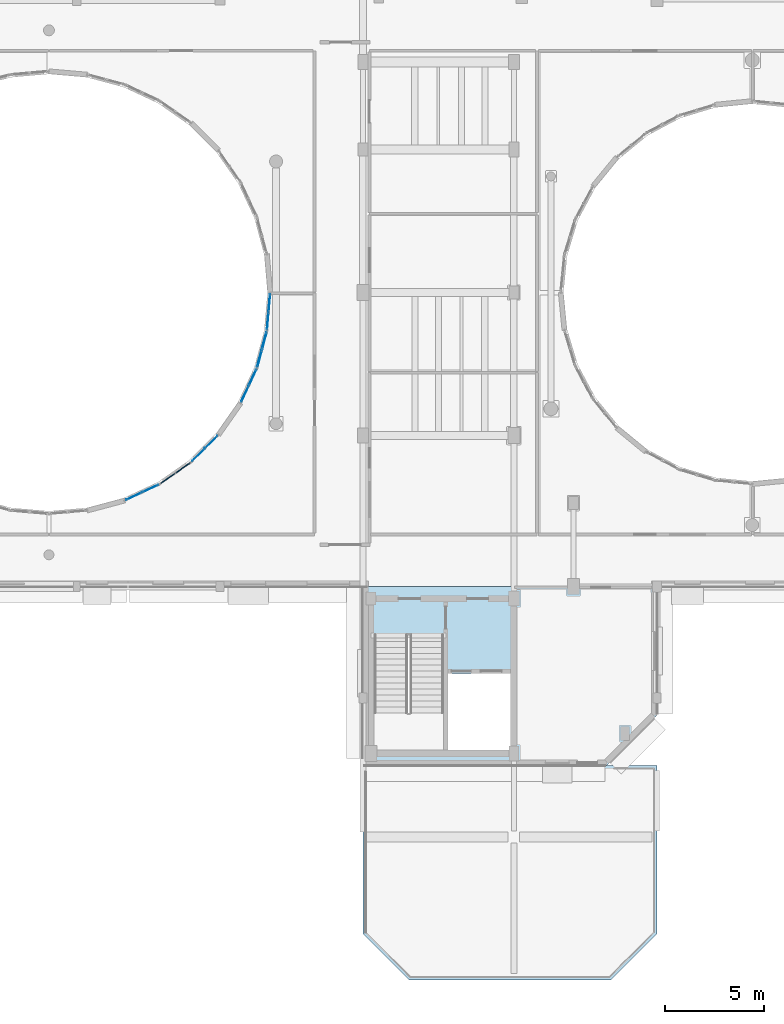
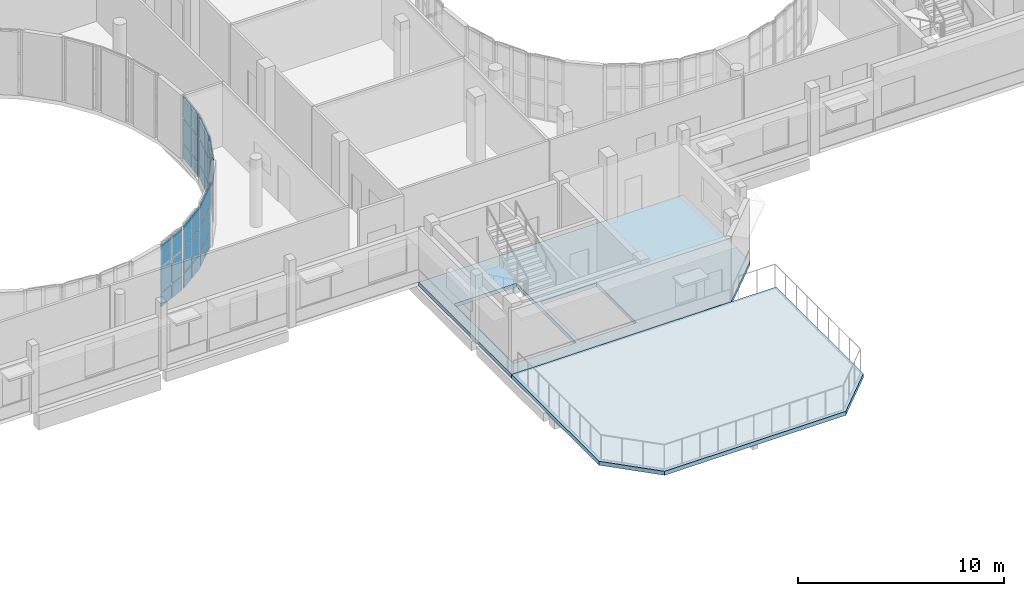
# One storey, part 57 of 89: 36 plates, 2 slabs, 6 elements without a shape of their own.
"""IFC4 building model written with IfcOpenShell, lengths in metres."""

from ifc_helpers import new_model, si_unit, direction, frame, origin, origin_2d, place, context, subcontext, project, spatial, polyline, rectangle, outline, extrude, material, layer, layer_set, type_object, element, aggregate, save


model = new_model("IFC4")

# Units and contexts
model_context = context("Model", 3, precision=1e-05, world=origin(), true_north=direction((0.0, 1.0)))
body_context = subcontext(model_context, "Body", "Model", "MODEL_VIEW")
ifc_project = project(units=[si_unit("LENGTHUNIT", "METRE"), si_unit("AREAUNIT", "SQUARE_METRE"), si_unit("VOLUMEUNIT", "CUBIC_METRE"), si_unit("PLANEANGLEUNIT", "RADIAN"), si_unit("MASSUNIT", "GRAM", prefix="KILO")], contexts=[model_context])

# Site, building, storey
site_placement = place(None, origin())
site = spatial("IfcSite", under=ifc_project, at=site_placement, CompositionType="ELEMENT")
building_placement = place(site_placement, origin())
building = spatial("IfcBuilding", under=site, at=building_placement, Name="Kelanivale Promenade Academy", CompositionType="ELEMENT")
storey_placement = place(building_placement, frame((0.0, 0.0, 12.199951171875)))
storey = spatial("IfcBuildingStorey", under=building, at=storey_placement, Name="L03", CompositionType="ELEMENT", Elevation=12.199951171875)

# Curtain wall, plates
ifc_material_1 = material(Name="Bronze anodised aluminium and solar-control low-E glass", Category="aluminium")
ifc_layer_1 = layer(ifc_material_1, 0.169921875)
ifc_layer_set_1 = layer_set([ifc_layer_1], Name="Bronze anodised aluminium and solar-control low-E glass")
curtain_wall_type_1 = type_object("IfcCurtainWallType", Name="CW-10 Curtain Wall 1800mm Module", PredefinedType="USERDEFINED", material=ifc_layer_set_1)
curtain_wall_1_placement = place(storey_placement, origin())
curtain_wall_1 = element("IfcCurtainWall", 1, at=curtain_wall_1_placement, inside=storey, type_object=curtain_wall_type_1, Name="L03 courtyard curtain wall CW-10", ObjectType="UNITISED GLAZING", PredefinedType="USERDEFINED")
ifc_material_2 = material(Name="Solar-control double glazing 28 mm", Category="glass")
ifc_layer_2 = layer(ifc_material_2, 0.028076171875)
ifc_layer_set_2 = layer_set([ifc_layer_2], Name="Solar-control double glazing 28 mm")
plate_type_1 = type_object("IfcPlateType", Name="CWP-01 Plate 28mm", PredefinedType="CURTAIN_PANEL", material=ifc_layer_set_2)
plate_1_placement = place(storey_placement, frame((70.91650390625, 48.62158203125, 0.05029296875), z_axis=(0.0, 0.0, 1.0), x_axis=(0.707106781187, 0.707106781187, 0.0)))
plate_1 = element("IfcPlate", 2, at=plate_1_placement, type_object=plate_type_1, Name="CW-10 panel 1.1", PredefinedType="CURTAIN_PANEL", context=body_context, shape_type="SweptSolid", body=[
    extrude(rectangle(XDim=0.8603515625, YDim=0.028076171875, at=origin_2d()), origin(), (0.0, 0.0, 1.0), 0.824951171875),
])
plate_2_placement = place(storey_placement, frame((70.91650390625, 48.62158203125, 0.92529296875), z_axis=(0.0, 0.0, 1.0), x_axis=(0.707106781187, 0.707106781187, 0.0)))
plate_2 = element("IfcPlate", 3, at=plate_2_placement, type_object=plate_type_1, Name="CW-10 panel 1.2", PredefinedType="CURTAIN_PANEL", context=body_context, shape_type="SweptSolid", body=[
    extrude(rectangle(XDim=0.8603515625, YDim=0.028076171875, at=origin_2d()), origin(), (0.0, 0.0, 1.0), 1.449951171875),
])
plate_3_placement = place(storey_placement, frame((70.91650390625, 48.62158203125, 2.42529296875), z_axis=(0.0, 0.0, 1.0), x_axis=(0.707106781187, 0.707106781187, 0.0)))
plate_3 = element("IfcPlate", 4, at=plate_3_placement, type_object=plate_type_1, Name="CW-10 panel 1.3", PredefinedType="CURTAIN_PANEL", context=body_context, shape_type="SweptSolid", body=[
    extrude(rectangle(XDim=0.8603515625, YDim=0.028076171875, at=origin_2d()), origin(), (0.0, 0.0, 1.0), 1.304931640625),
])
plate_4_placement = place(storey_placement, frame((71.5673828125, 49.2724609375, 0.05029296875), z_axis=(0.0, 0.0, 1.0), x_axis=(0.707106781187, 0.707106781187, 0.0)))
plate_4 = element("IfcPlate", 5, at=plate_4_placement, type_object=plate_type_1, Name="CW-10 panel 2.1", PredefinedType="CURTAIN_PANEL", context=body_context, shape_type="SweptSolid", body=[
    extrude(rectangle(XDim=0.8603515625, YDim=0.028076171875, at=origin_2d()), origin(), (0.0, 0.0, 1.0), 0.824951171875),
])
plate_5_placement = place(storey_placement, frame((71.5673828125, 49.2724609375, 0.92529296875), z_axis=(0.0, 0.0, 1.0), x_axis=(0.707106781187, 0.707106781187, 0.0)))
plate_5 = element("IfcPlate", 6, at=plate_5_placement, type_object=plate_type_1, Name="CW-10 panel 2.2", PredefinedType="CURTAIN_PANEL", context=body_context, shape_type="SweptSolid", body=[
    extrude(rectangle(XDim=0.8603515625, YDim=0.028076171875, at=origin_2d()), origin(), (0.0, 0.0, 1.0), 1.449951171875),
])
plate_6_placement = place(storey_placement, frame((71.5673828125, 49.2724609375, 2.42529296875), z_axis=(0.0, 0.0, 1.0), x_axis=(0.707106781187, 0.707106781187, 0.0)))
plate_6 = element("IfcPlate", 7, at=plate_6_placement, type_object=plate_type_1, Name="CW-10 panel 2.3", PredefinedType="CURTAIN_PANEL", context=body_context, shape_type="SweptSolid", body=[
    extrude(rectangle(XDim=0.8603515625, YDim=0.028076171875, at=origin_2d()), origin(), (0.0, 0.0, 1.0), 1.304931640625),
])
aggregate(curtain_wall_1, [plate_1, plate_2, plate_3, plate_4, plate_5, plate_6])

ifc_layer_3 = layer(ifc_material_1, 0.169921875)
ifc_layer_set_3 = layer_set([ifc_layer_3], Name="Bronze anodised aluminium and solar-control low-E glass")
curtain_wall_type_2 = type_object("IfcCurtainWallType", Name="CW-13 Curtain Wall 1350mm Module", PredefinedType="USERDEFINED", material=ifc_layer_set_3)
curtain_wall_2_placement = place(storey_placement, origin())
curtain_wall_2 = element("IfcCurtainWall", 8, at=curtain_wall_2_placement, inside=storey, type_object=curtain_wall_type_2, Name="L03 courtyard curtain wall CW-13", ObjectType="COURTYARD SCREEN GLAZING", PredefinedType="USERDEFINED")
plate_7_placement = place(storey_placement, frame((74.414794921875, 55.36669921875, 0.05029296875), z_axis=(0.0, 0.0, 1.0), x_axis=(0.087264768066, 0.996185153601, 0.0)))
plate_7 = element("IfcPlate", 9, at=plate_7_placement, type_object=plate_type_1, Name="CW-13 panel 1.1", PredefinedType="CURTAIN_PANEL", context=body_context, shape_type="SweptSolid", body=[
    extrude(rectangle(XDim=0.861083984375, YDim=0.028076171875, at=origin_2d()), origin(), (0.0, 0.0, 1.0), 0.824951171875),
])
plate_8_placement = place(storey_placement, frame((74.414794921875, 55.36669921875, 0.92529296875), z_axis=(0.0, 0.0, 1.0), x_axis=(0.087264768066, 0.996185153601, 0.0)))
plate_8 = element("IfcPlate", 10, at=plate_8_placement, type_object=plate_type_1, Name="CW-13 panel 1.2", PredefinedType="CURTAIN_PANEL", context=body_context, shape_type="SweptSolid", body=[
    extrude(rectangle(XDim=0.861083984375, YDim=0.028076171875, at=origin_2d()), origin(), (0.0, 0.0, 1.0), 1.449951171875),
])
plate_9_placement = place(storey_placement, frame((74.414794921875, 55.36669921875, 2.42529296875), z_axis=(0.0, 0.0, 1.0), x_axis=(0.087264768066, 0.996185153601, 0.0)))
plate_9 = element("IfcPlate", 11, at=plate_9_placement, type_object=plate_type_1, Name="CW-13 panel 1.3", PredefinedType="CURTAIN_PANEL", context=body_context, shape_type="SweptSolid", body=[
    extrude(rectangle(XDim=0.861083984375, YDim=0.028076171875, at=origin_2d()), origin(), (0.0, 0.0, 1.0), 1.304931640625),
])
plate_10_placement = place(storey_placement, frame((74.4951171875, 56.284423828125, 0.05029296875), z_axis=(0.0, 0.0, 1.0), x_axis=(0.087264768066, 0.996185153601, 0.0)))
plate_10 = element("IfcPlate", 12, at=plate_10_placement, type_object=plate_type_1, Name="CW-13 panel 2.1", PredefinedType="CURTAIN_PANEL", context=body_context, shape_type="SweptSolid", body=[
    extrude(rectangle(XDim=0.861083984375, YDim=0.028076171875, at=origin_2d()), origin(), (0.0, 0.0, 1.0), 0.824951171875),
])
plate_11_placement = place(storey_placement, frame((74.4951171875, 56.284423828125, 0.92529296875), z_axis=(0.0, 0.0, 1.0), x_axis=(0.087264768066, 0.996185153601, 0.0)))
plate_11 = element("IfcPlate", 13, at=plate_11_placement, type_object=plate_type_1, Name="CW-13 panel 2.2", PredefinedType="CURTAIN_PANEL", context=body_context, shape_type="SweptSolid", body=[
    extrude(rectangle(XDim=0.861083984375, YDim=0.028076171875, at=origin_2d()), origin(), (0.0, 0.0, 1.0), 1.449951171875),
])
plate_12_placement = place(storey_placement, frame((74.4951171875, 56.284423828125, 2.42529296875), z_axis=(0.0, 0.0, 1.0), x_axis=(0.087264768066, 0.996185153601, 0.0)))
plate_12 = element("IfcPlate", 14, at=plate_12_placement, type_object=plate_type_1, Name="CW-13 panel 2.3", PredefinedType="CURTAIN_PANEL", context=body_context, shape_type="SweptSolid", body=[
    extrude(rectangle(XDim=0.861083984375, YDim=0.028076171875, at=origin_2d()), origin(), (0.0, 0.0, 1.0), 1.304931640625),
])
aggregate(curtain_wall_2, [plate_7, plate_8, plate_9, plate_10, plate_11, plate_12])

ifc_layer_4 = layer(ifc_material_1, 0.179931640625)
ifc_layer_set_4 = layer_set([ifc_layer_4], Name="Bronze anodised aluminium and solar-control low-E glass")
curtain_wall_type_3 = type_object("IfcCurtainWallType", Name="CW-08 Curtain Wall 1500mm Module", PredefinedType="USERDEFINED", material=ifc_layer_set_4)
curtain_wall_3_placement = place(storey_placement, origin())
curtain_wall_3 = element("IfcCurtainWall", 15, at=curtain_wall_3_placement, inside=storey, type_object=curtain_wall_type_3, Name="L03 courtyard curtain wall CW-08", ObjectType="UNITISED GLAZING", PredefinedType="USERDEFINED")
ifc_material_3 = material(Name="Acoustic laminated double glazing 36 mm", Category="glass")
ifc_layer_5 = layer(ifc_material_3, 0.035888671875)
ifc_layer_set_5 = layer_set([ifc_layer_5], Name="Acoustic laminated double glazing 36 mm")
plate_type_2 = type_object("IfcPlateType", Name="CWP-02 Plate 36mm", PredefinedType="CURTAIN_PANEL", material=ifc_layer_set_5)
plate_13_placement = place(storey_placement, frame((67.6806640625, 46.550048828125, 0.06005859375), z_axis=(0.0, 0.0, 1.0), x_axis=(0.906089128146, 0.423086860887, 0.0)))
plate_13 = element("IfcPlate", 16, at=plate_13_placement, type_object=plate_type_2, Name="CW-08 panel 1.1", PredefinedType="CURTAIN_PANEL", context=body_context, shape_type="SweptSolid", body=[
    extrude(rectangle(XDim=0.853759765625, YDim=0.035888671875, at=origin_2d()), origin(), (0.0, 0.0, 1.0), 0.81005859375),
])
plate_14_placement = place(storey_placement, frame((67.6806640625, 46.550048828125, 0.93017578125), z_axis=(0.0, 0.0, 1.0), x_axis=(0.906089128146, 0.423086860887, 0.0)))
plate_14 = element("IfcPlate", 17, at=plate_14_placement, type_object=plate_type_2, Name="CW-08 panel 1.2", PredefinedType="CURTAIN_PANEL", context=body_context, shape_type="SweptSolid", body=[
    extrude(rectangle(XDim=0.853759765625, YDim=0.035888671875, at=origin_2d()), origin(), (0.0, 0.0, 1.0), 1.43994140625),
])
plate_15_placement = place(storey_placement, frame((67.6806640625, 46.550048828125, 2.429931640625), z_axis=(0.0, 0.0, 1.0), x_axis=(0.906089128146, 0.423086860887, 0.0)))
plate_15 = element("IfcPlate", 18, at=plate_15_placement, type_object=plate_type_2, Name="CW-08 panel 1.3", PredefinedType="CURTAIN_PANEL", context=body_context, shape_type="SweptSolid", body=[
    extrude(rectangle(XDim=0.853759765625, YDim=0.035888671875, at=origin_2d()), origin(), (0.0, 0.0, 1.0), 1.2900390625),
])
plate_16_placement = place(storey_placement, frame((68.51318359375, 46.93896484375, 0.06005859375), z_axis=(0.0, 0.0, 1.0), x_axis=(0.906089128146, 0.423086860887, 0.0)))
plate_16 = element("IfcPlate", 19, at=plate_16_placement, type_object=plate_type_2, Name="CW-08 panel 2.1", PredefinedType="CURTAIN_PANEL", context=body_context, shape_type="SweptSolid", body=[
    extrude(rectangle(XDim=0.853759765625, YDim=0.035888671875, at=origin_2d()), origin(), (0.0, 0.0, 1.0), 0.81005859375),
])
plate_17_placement = place(storey_placement, frame((68.51318359375, 46.93896484375, 0.93017578125), z_axis=(0.0, 0.0, 1.0), x_axis=(0.906089128146, 0.423086860887, 0.0)))
plate_17 = element("IfcPlate", 20, at=plate_17_placement, type_object=plate_type_2, Name="CW-08 panel 2.2", PredefinedType="CURTAIN_PANEL", context=body_context, shape_type="SweptSolid", body=[
    extrude(rectangle(XDim=0.853759765625, YDim=0.035888671875, at=origin_2d()), origin(), (0.0, 0.0, 1.0), 1.43994140625),
])
plate_18_placement = place(storey_placement, frame((68.51318359375, 46.93896484375, 2.429931640625), z_axis=(0.0, 0.0, 1.0), x_axis=(0.906089128146, 0.423086860887, 0.0)))
plate_18 = element("IfcPlate", 21, at=plate_18_placement, type_object=plate_type_2, Name="CW-08 panel 2.3", PredefinedType="CURTAIN_PANEL", context=body_context, shape_type="SweptSolid", body=[
    extrude(rectangle(XDim=0.853759765625, YDim=0.035888671875, at=origin_2d()), origin(), (0.0, 0.0, 1.0), 1.2900390625),
])
aggregate(curtain_wall_3, [plate_13, plate_14, plate_15, plate_16, plate_17, plate_18])

ifc_layer_6 = layer(ifc_material_1, 0.179931640625)
ifc_layer_set_6 = layer_set([ifc_layer_6], Name="Bronze anodised aluminium and solar-control low-E glass")
curtain_wall_type_4 = type_object("IfcCurtainWallType", Name="CW-11 Curtain Wall 1950mm Module", PredefinedType="USERDEFINED", material=ifc_layer_set_6)
curtain_wall_4_placement = place(storey_placement, origin())
curtain_wall_4 = element("IfcCurtainWall", 22, at=curtain_wall_4_placement, inside=storey, type_object=curtain_wall_type_4, Name="L03 courtyard curtain wall CW-11", ObjectType="UNITISED GLAZING", PredefinedType="USERDEFINED")
plate_19_placement = place(storey_placement, frame((73.26708984375, 51.70068359375, 0.05029296875), z_axis=(0.0, 0.0, 1.0), x_axis=(0.423086860887, 0.906089128146, 0.0)))
plate_19 = element("IfcPlate", 23, at=plate_19_placement, type_object=plate_type_2, Name="CW-11 panel 1.1", PredefinedType="CURTAIN_PANEL", context=body_context, shape_type="SweptSolid", body=[
    extrude(rectangle(XDim=0.853759765625, YDim=0.035888671875, at=origin_2d()), origin(), (0.0, 0.0, 1.0), 0.824951171875),
])
plate_20_placement = place(storey_placement, frame((73.26708984375, 51.70068359375, 0.92529296875), z_axis=(0.0, 0.0, 1.0), x_axis=(0.423086860887, 0.906089128146, 0.0)))
plate_20 = element("IfcPlate", 24, at=plate_20_placement, type_object=plate_type_2, Name="CW-11 panel 1.2", PredefinedType="CURTAIN_PANEL", context=body_context, shape_type="SweptSolid", body=[
    extrude(rectangle(XDim=0.853759765625, YDim=0.035888671875, at=origin_2d()), origin(), (0.0, 0.0, 1.0), 1.449951171875),
])
plate_21_placement = place(storey_placement, frame((73.26708984375, 51.70068359375, 2.42529296875), z_axis=(0.0, 0.0, 1.0), x_axis=(0.423086860887, 0.906089128146, 0.0)))
plate_21 = element("IfcPlate", 25, at=plate_21_placement, type_object=plate_type_2, Name="CW-11 panel 1.3", PredefinedType="CURTAIN_PANEL", context=body_context, shape_type="SweptSolid", body=[
    extrude(rectangle(XDim=0.853759765625, YDim=0.035888671875, at=origin_2d()), origin(), (0.0, 0.0, 1.0), 1.304931640625),
])
plate_22_placement = place(storey_placement, frame((73.65576171875, 52.533203125, 0.05029296875), z_axis=(0.0, 0.0, 1.0), x_axis=(0.423086860887, 0.906089128146, 0.0)))
plate_22 = element("IfcPlate", 26, at=plate_22_placement, type_object=plate_type_2, Name="CW-11 panel 2.1", PredefinedType="CURTAIN_PANEL", context=body_context, shape_type="SweptSolid", body=[
    extrude(rectangle(XDim=0.853759765625, YDim=0.035888671875, at=origin_2d()), origin(), (0.0, 0.0, 1.0), 0.824951171875),
])
plate_23_placement = place(storey_placement, frame((73.65576171875, 52.533203125, 0.92529296875), z_axis=(0.0, 0.0, 1.0), x_axis=(0.423086860887, 0.906089128146, 0.0)))
plate_23 = element("IfcPlate", 27, at=plate_23_placement, type_object=plate_type_2, Name="CW-11 panel 2.2", PredefinedType="CURTAIN_PANEL", context=body_context, shape_type="SweptSolid", body=[
    extrude(rectangle(XDim=0.853759765625, YDim=0.035888671875, at=origin_2d()), origin(), (0.0, 0.0, 1.0), 1.449951171875),
])
plate_24_placement = place(storey_placement, frame((73.65576171875, 52.533203125, 2.42529296875), z_axis=(0.0, 0.0, 1.0), x_axis=(0.423086860887, 0.906089128146, 0.0)))
plate_24 = element("IfcPlate", 28, at=plate_24_placement, type_object=plate_type_2, Name="CW-11 panel 2.3", PredefinedType="CURTAIN_PANEL", context=body_context, shape_type="SweptSolid", body=[
    extrude(rectangle(XDim=0.853759765625, YDim=0.035888671875, at=origin_2d()), origin(), (0.0, 0.0, 1.0), 1.304931640625),
])
aggregate(curtain_wall_4, [plate_19, plate_20, plate_21, plate_22, plate_23, plate_24])

ifc_layer_7 = layer(ifc_material_1, 0.159912109375)
ifc_layer_set_7 = layer_set([ifc_layer_7], Name="Bronze anodised aluminium and solar-control low-E glass")
curtain_wall_type_5 = type_object("IfcCurtainWallType", Name="CW-09 Curtain Wall 1650mm Module", PredefinedType="USERDEFINED", material=ifc_layer_set_7)
curtain_wall_5_placement = place(storey_placement, origin())
curtain_wall_5 = element("IfcCurtainWall", 29, at=curtain_wall_5_placement, inside=storey, type_object=curtain_wall_type_5, Name="L03 courtyard curtain wall CW-09", ObjectType="UNITISED GLAZING", PredefinedType="USERDEFINED")
ifc_material_4 = material(Name="Insulated bronze aluminium spandrel panel 44 mm", Category="aluminium")
ifc_layer_8 = layer(ifc_material_4, 0.0439453125)
ifc_layer_set_8 = layer_set([ifc_layer_8], Name="Insulated bronze aluminium spandrel panel 44 mm")
plate_type_3 = type_object("IfcPlateType", Name="CWP-03 Plate 44mm", PredefinedType="CURTAIN_PANEL", material=ifc_layer_set_8)
plate_25_placement = place(storey_placement, frame((69.385009765625, 47.442626953125, 0.05029296875), z_axis=(0.0, 0.0, 1.0), x_axis=(0.81915842439, 0.573567324515, 0.0)))
plate_25 = element("IfcPlate", 30, at=plate_25_placement, type_object=plate_type_3, Name="CW-09 panel 1.1", PredefinedType="CURTAIN_PANEL", context=body_context, shape_type="SweptSolid", body=[
    extrude(rectangle(XDim=0.868896484375, YDim=0.0439453125, at=origin_2d()), origin(), (0.0, 0.0, 1.0), 0.824951171875),
])
plate_26_placement = place(storey_placement, frame((69.385009765625, 47.442626953125, 0.92529296875), z_axis=(0.0, 0.0, 1.0), x_axis=(0.81915842439, 0.573567324515, 0.0)))
plate_26 = element("IfcPlate", 31, at=plate_26_placement, type_object=plate_type_3, Name="CW-09 panel 1.2", PredefinedType="CURTAIN_PANEL", context=body_context, shape_type="SweptSolid", body=[
    extrude(rectangle(XDim=0.868896484375, YDim=0.0439453125, at=origin_2d()), origin(), (0.0, 0.0, 1.0), 1.449951171875),
])
plate_27_placement = place(storey_placement, frame((69.385009765625, 47.442626953125, 2.42529296875), z_axis=(0.0, 0.0, 1.0), x_axis=(0.81915842439, 0.573567324515, 0.0)))
plate_27 = element("IfcPlate", 32, at=plate_27_placement, type_object=plate_type_3, Name="CW-09 panel 1.3", PredefinedType="CURTAIN_PANEL", context=body_context, shape_type="SweptSolid", body=[
    extrude(rectangle(XDim=0.868896484375, YDim=0.0439453125, at=origin_2d()), origin(), (0.0, 0.0, 1.0), 1.304931640625),
])
plate_28_placement = place(storey_placement, frame((70.14599609375, 47.975341796875, 0.05029296875), z_axis=(0.0, 0.0, 1.0), x_axis=(0.81915842439, 0.573567324515, 0.0)))
plate_28 = element("IfcPlate", 33, at=plate_28_placement, type_object=plate_type_3, Name="CW-09 panel 2.1", PredefinedType="CURTAIN_PANEL", context=body_context, shape_type="SweptSolid", body=[
    extrude(rectangle(XDim=0.868896484375, YDim=0.0439453125, at=origin_2d()), origin(), (0.0, 0.0, 1.0), 0.824951171875),
])
plate_29_placement = place(storey_placement, frame((70.14599609375, 47.975341796875, 0.92529296875), z_axis=(0.0, 0.0, 1.0), x_axis=(0.81915842439, 0.573567324515, 0.0)))
plate_29 = element("IfcPlate", 34, at=plate_29_placement, type_object=plate_type_3, Name="CW-09 panel 2.2", PredefinedType="CURTAIN_PANEL", context=body_context, shape_type="SweptSolid", body=[
    extrude(rectangle(XDim=0.868896484375, YDim=0.0439453125, at=origin_2d()), origin(), (0.0, 0.0, 1.0), 1.449951171875),
])
plate_30_placement = place(storey_placement, frame((70.14599609375, 47.975341796875, 2.42529296875), z_axis=(0.0, 0.0, 1.0), x_axis=(0.81915842439, 0.573567324515, 0.0)))
plate_30 = element("IfcPlate", 35, at=plate_30_placement, type_object=plate_type_3, Name="CW-09 panel 2.3", PredefinedType="CURTAIN_PANEL", context=body_context, shape_type="SweptSolid", body=[
    extrude(rectangle(XDim=0.868896484375, YDim=0.0439453125, at=origin_2d()), origin(), (0.0, 0.0, 1.0), 1.304931640625),
])
aggregate(curtain_wall_5, [plate_25, plate_26, plate_27, plate_28, plate_29, plate_30])

ifc_layer_9 = layer(ifc_material_1, 0.159912109375)
ifc_layer_set_9 = layer_set([ifc_layer_9], Name="Bronze anodised aluminium and solar-control low-E glass")
curtain_wall_type_6 = type_object("IfcCurtainWallType", Name="CW-12 Curtain Wall 1200mm Module", PredefinedType="USERDEFINED", material=ifc_layer_set_9)
curtain_wall_6_placement = place(storey_placement, origin())
curtain_wall_6 = element("IfcCurtainWall", 36, at=curtain_wall_6_placement, inside=storey, type_object=curtain_wall_type_6, Name="L03 courtyard curtain wall CW-12", ObjectType="UNITISED GLAZING", PredefinedType="USERDEFINED")
plate_31_placement = place(storey_placement, frame((74.000244140625, 53.480712890625, 0.06005859375), z_axis=(0.0, 0.0, 1.0), x_axis=(0.258701323721, 0.96595736195, 0.0)))
plate_31 = element("IfcPlate", 37, at=plate_31_placement, type_object=plate_type_3, Name="CW-12 panel 1.1", PredefinedType="CURTAIN_PANEL", context=body_context, shape_type="SweptSolid", body=[
    extrude(rectangle(XDim=0.861083984375, YDim=0.0439453125, at=origin_2d()), origin(), (0.0, 0.0, 1.0), 0.81005859375),
])
plate_32_placement = place(storey_placement, frame((74.000244140625, 53.480712890625, 0.93017578125), z_axis=(0.0, 0.0, 1.0), x_axis=(0.258701323721, 0.96595736195, 0.0)))
plate_32 = element("IfcPlate", 38, at=plate_32_placement, type_object=plate_type_3, Name="CW-12 panel 1.2", PredefinedType="CURTAIN_PANEL", context=body_context, shape_type="SweptSolid", body=[
    extrude(rectangle(XDim=0.861083984375, YDim=0.0439453125, at=origin_2d()), origin(), (0.0, 0.0, 1.0), 1.43994140625),
])
plate_33_placement = place(storey_placement, frame((74.000244140625, 53.480712890625, 2.429931640625), z_axis=(0.0, 0.0, 1.0), x_axis=(0.258701323721, 0.96595736195, 0.0)))
plate_33 = element("IfcPlate", 39, at=plate_33_placement, type_object=plate_type_3, Name="CW-12 panel 1.3", PredefinedType="CURTAIN_PANEL", context=body_context, shape_type="SweptSolid", body=[
    extrude(rectangle(XDim=0.861083984375, YDim=0.0439453125, at=origin_2d()), origin(), (0.0, 0.0, 1.0), 1.2900390625),
])
plate_34_placement = place(storey_placement, frame((74.23974609375, 54.375244140625, 0.06005859375), z_axis=(0.0, 0.0, 1.0), x_axis=(0.258701323721, 0.96595736195, 0.0)))
plate_34 = element("IfcPlate", 40, at=plate_34_placement, type_object=plate_type_3, Name="CW-12 panel 2.1", PredefinedType="CURTAIN_PANEL", context=body_context, shape_type="SweptSolid", body=[
    extrude(rectangle(XDim=0.861083984375, YDim=0.0439453125, at=origin_2d()), origin(), (0.0, 0.0, 1.0), 0.81005859375),
])
plate_35_placement = place(storey_placement, frame((74.23974609375, 54.375244140625, 0.93017578125), z_axis=(0.0, 0.0, 1.0), x_axis=(0.258701323721, 0.96595736195, 0.0)))
plate_35 = element("IfcPlate", 41, at=plate_35_placement, type_object=plate_type_3, Name="CW-12 panel 2.2", PredefinedType="CURTAIN_PANEL", context=body_context, shape_type="SweptSolid", body=[
    extrude(rectangle(XDim=0.861083984375, YDim=0.0439453125, at=origin_2d()), origin(), (0.0, 0.0, 1.0), 1.43994140625),
])
plate_36_placement = place(storey_placement, frame((74.23974609375, 54.375244140625, 2.429931640625), z_axis=(0.0, 0.0, 1.0), x_axis=(0.258701323721, 0.96595736195, 0.0)))
plate_36 = element("IfcPlate", 42, at=plate_36_placement, type_object=plate_type_3, Name="CW-12 panel 2.3", PredefinedType="CURTAIN_PANEL", context=body_context, shape_type="SweptSolid", body=[
    extrude(rectangle(XDim=0.861083984375, YDim=0.0439453125, at=origin_2d()), origin(), (0.0, 0.0, 1.0), 1.2900390625),
])
aggregate(curtain_wall_6, [plate_31, plate_32, plate_33, plate_34, plate_35, plate_36])

# Slabs
ifc_material_5 = material(Name="Concrete C35/45", Category="concrete")
ifc_layer_10 = layer(ifc_material_5, 0.219970703125)
ifc_layer_set_10 = layer_set([ifc_layer_10], Name="Concrete C35/45")
slab_type_1 = type_object("IfcSlabType", Name="FS-01 Slab 220mm", PredefinedType="FLOOR", material=ifc_layer_set_10)
slab_1_placement = place(storey_placement, frame((0.0, 0.0, -0.219970703125)))
element("IfcSlab", 43, at=slab_1_placement, inside=storey, type_object=slab_type_1, Name="L03 structural slab SLB-L03-V4S", PredefinedType="FLOOR", context=body_context, shape_type="SweptSolid", body=[
    extrude(outline(polyline([(79.199951171875, 42.0), (79.199951171875, 33.0), (91.47998046875, 33.0), (94.0, 35.52001953125), (94.0, 42.0), (79.199951171875, 42.0)]), holes=[polyline([(86.635009765625, 33.764892578125), (83.485107421875, 33.764892578125), (83.485107421875, 37.625), (86.635009765625, 37.625), (86.635009765625, 33.764892578125)]), polyline([(83.264892578125, 39.544921875), (83.264892578125, 33.764892578125), (79.764892578125, 33.764892578125), (79.764892578125, 39.544921875), (83.264892578125, 39.544921875)])]), origin(), (0.0, 0.0, 1.0), 0.219970703125),
])
ifc_layer_11 = layer(ifc_material_5, 0.235107421875)
ifc_layer_set_11 = layer_set([ifc_layer_11], Name="Concrete C35/45")
slab_type_2 = type_object("IfcSlabType", Name="PD-01 Slab 235mm", PredefinedType="FLOOR", material=ifc_layer_set_11)
slab_2_placement = place(storey_placement, frame((0.0, 0.0, -0.23486328125)))
element("IfcSlab", 44, at=slab_2_placement, inside=storey, type_object=slab_type_2, Name="South Courtyard Terrace Play Deck", PredefinedType="FLOOR", context=body_context, shape_type="SweptSolid", body=[
    extrude(outline(polyline([(81.531005859375, 22.199951171875), (91.6689453125, 22.199951171875), (94.0, 24.531005859375), (94.0, 33.0), (79.199951171875, 33.0), (79.199951171875, 24.531005859375), (81.531005859375, 22.199951171875)])), origin(), (0.0, 0.0, 1.0), 0.23486328125),
])

save(model, "model.ifc")
